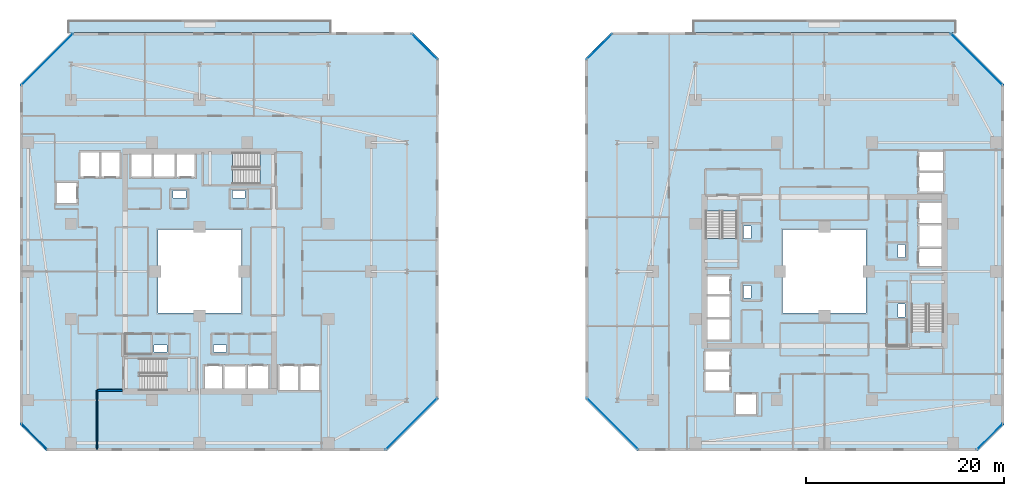
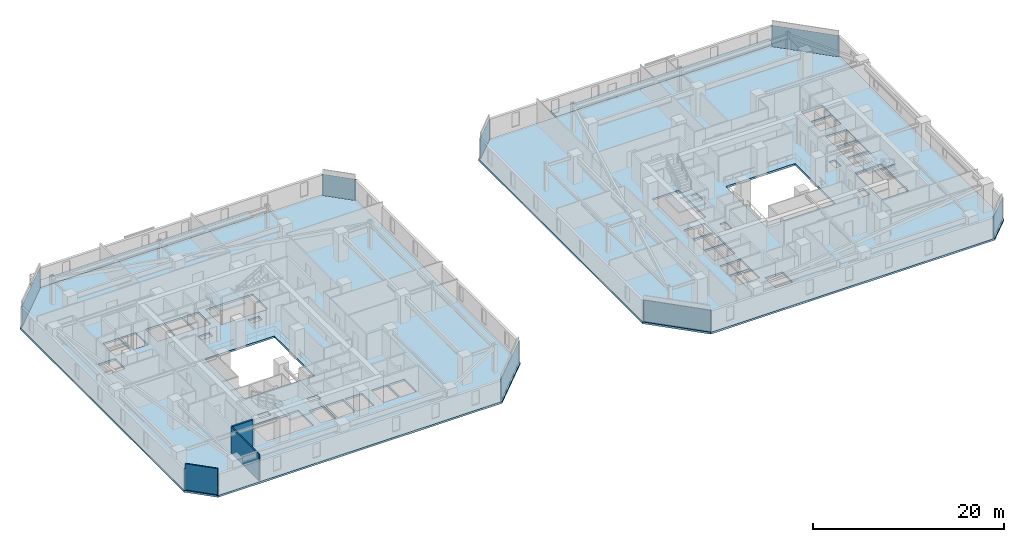
# One storey, part 15 of 31: 8 plates, 8 slabs, 3 walls, 12 elements without a shape of their own.
"""IFC4 building model written with IfcOpenShell, lengths in metres."""

from ifc_helpers import new_model, si_unit, direction, frame, frame_2d, origin, origin_2d, place, context, subcontext, project, spatial, polyline, rectangle, outline, extrude, material, layer, layer_set, type_object, element, aggregate, save


model = new_model("IFC4")

# Units and contexts
model_context = context("Model", 3, precision=1e-05, world=origin(), true_north=direction((0.0, 1.0)))
body_context = subcontext(model_context, "Body", "Model", "MODEL_VIEW")
ifc_project = project(units=[si_unit("LENGTHUNIT", "METRE"), si_unit("AREAUNIT", "SQUARE_METRE"), si_unit("VOLUMEUNIT", "CUBIC_METRE"), si_unit("PLANEANGLEUNIT", "RADIAN"), si_unit("MASSUNIT", "GRAM", prefix="KILO")], contexts=[model_context])

# Site, building, storey
site_placement = place(None, origin())
site = spatial("IfcSite", under=ifc_project, at=site_placement, CompositionType="ELEMENT")
building_placement = place(site_placement, origin())
building = spatial("IfcBuilding", under=site, at=building_placement, Name="Thornwick Lancets Civic Towers", CompositionType="ELEMENT")
storey_placement = place(building_placement, frame((0.0, 0.0, 87.300048828125)))
storey = spatial("IfcBuildingStorey", under=building, at=storey_placement, Name="L22", CompositionType="ELEMENT", Elevation=87.300048828125)

# Curtain wall, plate
ifc_material_1 = material(Name="Low-zone chamfered-corner unitised glass curtain wall", Category="glass")
curtain_wall_type = type_object("IfcCurtainWallType", Name="CW_SYS_03", PredefinedType="NOTDEFINED", material=ifc_material_1)
curtain_wall_1_placement = place(storey_placement, origin())
curtain_wall_1 = element("IfcCurtainWall", 1, at=curtain_wall_1_placement, inside=storey, type_object=curtain_wall_type, Name="L22 Curtain Wall CW-L22-A-E1", PredefinedType="NOTDEFINED")
ifc_material_2 = material(Name="Low-e double glazing clear glass", Category="glass")
ifc_layer_1 = layer(ifc_material_2, 0.035888671875, Name="Low-e double glazing clear glass")
ifc_layer_set_1 = layer_set([ifc_layer_1], Name="Low-e double glazing clear glass")
plate_type = type_object("IfcPlateType", Name="CW_PNL_GLASS", PredefinedType="CURTAIN_PANEL", material=ifc_layer_set_1)
plate_1_placement = place(storey_placement, frame((46.864990234375, 11.635009765625, 0.0), z_axis=(0.0, 0.0, 1.0), x_axis=(0.707106781187, 0.707106781187, 0.0)))
plate_1 = element("IfcPlate", 2, at=plate_1_placement, type_object=plate_type, Name="CW-L22-A-E1 Panel 0", PredefinedType="CURTAIN_PANEL", context=body_context, shape_type="SweptSolid", body=[
    extrude(rectangle(XDim=7.324951171875, YDim=0.035888671875, at=origin_2d()), origin(), (0.0, 0.0, 1.0), 2.699951171875),
])
aggregate(curtain_wall_1, [plate_1])

curtain_wall_2_placement = place(storey_placement, origin())
curtain_wall_2 = element("IfcCurtainWall", 3, at=curtain_wall_2_placement, inside=storey, type_object=curtain_wall_type, Name="L22 Curtain Wall CW-L22-A-E3", PredefinedType="NOTDEFINED")
plate_2_placement = place(storey_placement, frame((48.173095703125, 49.673095703125, 0.0), z_axis=(0.0, 0.0, 1.0), x_axis=(-0.707106781187, 0.707106781187, 0.0)))
plate_2 = element("IfcPlate", 4, at=plate_2_placement, type_object=plate_type, Name="CW-L22-A-E3 Panel 0", PredefinedType="CURTAIN_PANEL", context=body_context, shape_type="SweptSolid", body=[
    extrude(rectangle(XDim=3.6494140625, YDim=0.035888671875, at=origin_2d()), origin(), (0.0, 0.0, 1.0), 2.699951171875),
])
aggregate(curtain_wall_2, [plate_2])

curtain_wall_3_placement = place(storey_placement, origin())
curtain_wall_3 = element("IfcCurtainWall", 5, at=curtain_wall_3_placement, inside=storey, type_object=curtain_wall_type, Name="L22 Curtain Wall CW-L22-A-E5", PredefinedType="NOTDEFINED")
plate_3_placement = place(storey_placement, frame((10.135009765625, 48.364990234375, 0.0), z_axis=(0.0, 0.0, 1.0), x_axis=(-0.707106781187, -0.707106781187, 0.0)))
plate_3 = element("IfcPlate", 6, at=plate_3_placement, type_object=plate_type, Name="CW-L22-A-E5 Panel 0", PredefinedType="CURTAIN_PANEL", context=body_context, shape_type="SweptSolid", body=[
    extrude(rectangle(XDim=7.324951171875, YDim=0.035888671875, at=origin_2d()), origin(), (0.0, 0.0, 1.0), 2.699951171875),
])
aggregate(curtain_wall_3, [plate_3])

curtain_wall_4_placement = place(storey_placement, origin())
curtain_wall_4 = element("IfcCurtainWall", 7, at=curtain_wall_4_placement, inside=storey, type_object=curtain_wall_type, Name="L22 Curtain Wall CW-L22-A-E7", PredefinedType="NOTDEFINED")
plate_4_placement = place(storey_placement, frame((8.826904296875, 10.326904296875, 0.0), z_axis=(0.0, 0.0, 1.0), x_axis=(0.707106781187, -0.707106781187, 0.0)))
plate_4 = element("IfcPlate", 8, at=plate_4_placement, type_object=plate_type, Name="CW-L22-A-E7 Panel 0", PredefinedType="CURTAIN_PANEL", context=body_context, shape_type="SweptSolid", body=[
    extrude(rectangle(XDim=3.6494140625, YDim=0.035888671875, at=origin_2d()), origin(), (0.0, 0.0, 1.0), 2.699951171875),
])
aggregate(curtain_wall_4, [plate_4])

curtain_wall_5_placement = place(storey_placement, origin())
curtain_wall_5 = element("IfcCurtainWall", 9, at=curtain_wall_5_placement, inside=storey, type_object=curtain_wall_type, Name="L22 Curtain Wall CW-L22-B-E1", PredefinedType="NOTDEFINED")
plate_5_placement = place(storey_placement, frame((105.173095703125, 10.326904296875, 0.0), z_axis=(0.0, 0.0, 1.0), x_axis=(0.707106781187, 0.707106781187, 0.0)))
plate_5 = element("IfcPlate", 10, at=plate_5_placement, type_object=plate_type, Name="CW-L22-B-E1 Panel 0", PredefinedType="CURTAIN_PANEL", context=body_context, shape_type="SweptSolid", body=[
    extrude(rectangle(XDim=3.6494140625, YDim=0.035888671875, at=origin_2d()), origin(), (0.0, 0.0, 1.0), 2.699951171875),
])
aggregate(curtain_wall_5, [plate_5])

curtain_wall_6_placement = place(storey_placement, origin())
curtain_wall_6 = element("IfcCurtainWall", 11, at=curtain_wall_6_placement, inside=storey, type_object=curtain_wall_type, Name="L22 Curtain Wall CW-L22-B-E3", PredefinedType="NOTDEFINED")
plate_6_placement = place(storey_placement, frame((103.864990234375, 48.364990234375, 0.0), z_axis=(0.0, 0.0, 1.0), x_axis=(-0.707106781187, 0.707106781187, 0.0)))
plate_6 = element("IfcPlate", 12, at=plate_6_placement, type_object=plate_type, Name="CW-L22-B-E3 Panel 0", PredefinedType="CURTAIN_PANEL", context=body_context, shape_type="SweptSolid", body=[
    extrude(rectangle(XDim=7.324951171875, YDim=0.035888671875, at=origin_2d()), origin(), (0.0, 0.0, 1.0), 2.699951171875),
])
aggregate(curtain_wall_6, [plate_6])

curtain_wall_7_placement = place(storey_placement, origin())
curtain_wall_7 = element("IfcCurtainWall", 13, at=curtain_wall_7_placement, inside=storey, type_object=curtain_wall_type, Name="L22 Curtain Wall CW-L22-B-E5", PredefinedType="NOTDEFINED")
plate_7_placement = place(storey_placement, frame((65.826904296875, 49.673095703125, 0.0), z_axis=(0.0, 0.0, 1.0), x_axis=(-0.707106781187, -0.707106781187, 0.0)))
plate_7 = element("IfcPlate", 14, at=plate_7_placement, type_object=plate_type, Name="CW-L22-B-E5 Panel 0", PredefinedType="CURTAIN_PANEL", context=body_context, shape_type="SweptSolid", body=[
    extrude(rectangle(XDim=3.6494140625, YDim=0.035888671875, at=origin_2d()), origin(), (0.0, 0.0, 1.0), 2.699951171875),
])
aggregate(curtain_wall_7, [plate_7])

curtain_wall_8_placement = place(storey_placement, origin())
curtain_wall_8 = element("IfcCurtainWall", 15, at=curtain_wall_8_placement, inside=storey, type_object=curtain_wall_type, Name="L22 Curtain Wall CW-L22-B-E7", PredefinedType="NOTDEFINED")
plate_8_placement = place(storey_placement, frame((67.135009765625, 11.635009765625, 0.0), z_axis=(0.0, 0.0, 1.0), x_axis=(0.707106781187, -0.707106781187, 0.0)))
plate_8 = element("IfcPlate", 16, at=plate_8_placement, type_object=plate_type, Name="CW-L22-B-E7 Panel 0", PredefinedType="CURTAIN_PANEL", context=body_context, shape_type="SweptSolid", body=[
    extrude(rectangle(XDim=7.324951171875, YDim=0.035888671875, at=origin_2d()), origin(), (0.0, 0.0, 1.0), 2.699951171875),
])
aggregate(curtain_wall_8, [plate_8])

# Slabs
ifc_material_3 = material(Name="Post-tensioned concrete C40/50", Category="concrete")
ifc_layer_2 = layer(ifc_material_3, 0.199951171875, Name="Post-tensioned concrete C40/50")
ifc_layer_set_2 = layer_set([ifc_layer_2], Name="Post-tensioned concrete C40/50")
slab_type_1 = type_object("IfcSlabType", Name="SLAB_BALCONY_200", PredefinedType="FLOOR", material=ifc_layer_set_2)
slab_1_placement = place(storey_placement, frame((0.0, 0.0, -0.199951171875)))
element("IfcSlab", 17, at=slab_1_placement, inside=storey, type_object=slab_type_1, Name="L22 Tower A Planted Balcony Slab N", PredefinedType="FLOOR", context=body_context, shape_type="SweptSolid", body=[
    extrude(outline(polyline([(12.300048828125, 51.10009765625), (38.699951171875, 51.10009765625), (38.699951171875, 52.35009765625), (12.300048828125, 52.35009765625), (12.300048828125, 51.10009765625)])), origin(), (0.0, 0.0, 1.0), 0.199951171875),
])
slab_2_placement = place(storey_placement, frame((0.0, 0.0, -0.199951171875)))
element("IfcSlab", 18, at=slab_2_placement, inside=storey, type_object=slab_type_1, Name="L22 Tower B Planted Balcony Slab N", PredefinedType="FLOOR", context=body_context, shape_type="SweptSolid", body=[
    extrude(outline(polyline([(75.300048828125, 51.10009765625), (101.699951171875, 51.10009765625), (101.699951171875, 52.35009765625), (75.300048828125, 52.35009765625), (75.300048828125, 51.10009765625)])), origin(), (0.0, 0.0, 1.0), 0.199951171875),
])

# Stair, slab
ifc_material_4 = material(Name="Concrete C40/50", Category="concrete")
stair_type = type_object("IfcStairType", Name="STAIR_DL_3600", PredefinedType="HALF_TURN_STAIR", material=ifc_material_4)
stair_1_placement = place(storey_placement, origin())
stair_1 = element("IfcStair", 19, at=stair_1_placement, inside=storey, type_object=stair_type, Name="L22 Tower A South Exit Stair ST-A1", PredefinedType="HALF_TURN_STAIR")
ifc_layer_3 = layer(ifc_material_4, 0.25, Name="Concrete C40/50")
ifc_layer_set_3 = layer_set([ifc_layer_3], Name="Concrete C40/50")
slab_type_2 = type_object("IfcSlabType", Name="SLAB_LANDING_200", PredefinedType="LANDING", material=ifc_layer_set_3)
slab_3_placement = place(storey_placement, frame((0.0, 0.0, 1.60302734375)))
slab_3 = element("IfcSlab", 20, at=slab_3_placement, type_object=slab_type_2, Name="ST-A1 landing 1", PredefinedType="LANDING", context=body_context, shape_type="SweptSolid", body=[
    extrude(outline(polyline([(22.169921875, 14.93994140625), (25.14990234375, 14.93994140625), (25.14990234375, 18.260009765625), (22.169921875, 18.260009765625), (22.169921875, 14.93994140625)])), origin(), (0.0, 0.0, 1.0), 0.199951171875),
])
aggregate(stair_1, [slab_3])

stair_2_placement = place(storey_placement, origin())
stair_2 = element("IfcStair", 21, at=stair_2_placement, inside=storey, type_object=stair_type, Name="L22 Tower A North Exit Stair ST-A2", PredefinedType="HALF_TURN_STAIR")
slab_4_placement = place(storey_placement, frame((0.0, 0.0, 1.60302734375)))
slab_4 = element("IfcSlab", 22, at=slab_4_placement, type_object=slab_type_2, Name="ST-A2 landing 1", PredefinedType="LANDING", context=body_context, shape_type="SweptSolid", body=[
    extrude(outline(polyline([(28.830078125, 39.06005859375), (25.85009765625, 39.06005859375), (25.85009765625, 35.739990234375), (28.830078125, 35.739990234375), (28.830078125, 39.06005859375)])), origin(), (0.0, 0.0, 1.0), 0.199951171875),
])
aggregate(stair_2, [slab_4])

stair_3_placement = place(storey_placement, origin())
stair_3 = element("IfcStair", 23, at=stair_3_placement, inside=storey, type_object=stair_type, Name="L22 Tower B East Exit Stair ST-B1", PredefinedType="HALF_TURN_STAIR")
slab_5_placement = place(storey_placement, frame((0.0, 0.0, 1.60302734375)))
slab_5 = element("IfcSlab", 24, at=slab_5_placement, type_object=slab_type_2, Name="ST-B1 landing 1", PredefinedType="LANDING", context=body_context, shape_type="SweptSolid", body=[
    extrude(outline(polyline([(100.56005859375, 23.669921875), (100.56005859375, 26.64990234375), (97.239990234375, 26.64990234375), (97.239990234375, 23.669921875), (100.56005859375, 23.669921875)])), origin(), (0.0, 0.0, 1.0), 0.199951171875),
])
aggregate(stair_3, [slab_5])

stair_4_placement = place(storey_placement, origin())
stair_4 = element("IfcStair", 25, at=stair_4_placement, inside=storey, type_object=stair_type, Name="L22 Tower B West Exit Stair ST-B2", PredefinedType="HALF_TURN_STAIR")
slab_6_placement = place(storey_placement, frame((0.0, 0.0, 1.60302734375)))
slab_6 = element("IfcSlab", 26, at=slab_6_placement, type_object=slab_type_2, Name="ST-B2 landing 1", PredefinedType="LANDING", context=body_context, shape_type="SweptSolid", body=[
    extrude(outline(polyline([(76.43994140625, 30.330078125), (76.43994140625, 27.35009765625), (79.760009765625, 27.35009765625), (79.760009765625, 30.330078125), (76.43994140625, 30.330078125)])), origin(), (0.0, 0.0, 1.0), 0.199951171875),
])
aggregate(stair_4, [slab_6])

# Slabs
ifc_layer_4 = layer(ifc_material_3, 0.239990234375, Name="Post-tensioned concrete C40/50")
ifc_layer_set_4 = layer_set([ifc_layer_4], Name="Post-tensioned concrete C40/50")
slab_type_3 = type_object("IfcSlabType", Name="SLAB_PT_240", PredefinedType="FLOOR", material=ifc_layer_set_4)
slab_7_placement = place(storey_placement, frame((0.0, 0.0, -0.239990234375)))
element("IfcSlab", 27, at=slab_7_placement, inside=storey, type_object=slab_type_3, Name="L22 Tower A Floor Slab", PredefinedType="FLOOR", context=body_context, shape_type="SweptSolid", body=[
    extrude(outline(polyline([(10.0, 8.89990234375), (44.382080078125, 8.89990234375), (49.60009765625, 14.117919921875), (49.60009765625, 48.5), (47.0, 51.10009765625), (12.617919921875, 51.10009765625), (7.39990234375, 45.882080078125), (7.39990234375, 11.5), (10.0, 8.89990234375)]), holes=[polyline([(21.300048828125, 22.800048828125), (29.699951171875, 22.800048828125), (29.699951171875, 31.199951171875), (21.300048828125, 31.199951171875), (21.300048828125, 22.800048828125)]), polyline([(19.429931640625, 15.0), (25.10009765625, 15.0), (25.10009765625, 18.199951171875), (19.429931640625, 18.199951171875), (19.429931640625, 15.0)]), polyline([(31.570068359375, 39.0), (25.89990234375, 39.0), (25.89990234375, 35.800048828125), (31.570068359375, 35.800048828125), (31.570068359375, 39.0)]), polyline([(26.0, 15.0), (27.800048828125, 15.0), (27.800048828125, 17.550048828125), (26.0, 17.550048828125), (26.0, 15.0)]), polyline([(28.0, 15.0), (30.14990234375, 15.0), (30.14990234375, 17.550048828125), (28.0, 17.550048828125), (28.0, 15.0)]), polyline([(30.35009765625, 15.0), (32.39990234375, 15.0), (32.39990234375, 17.550048828125), (30.35009765625, 17.550048828125), (30.35009765625, 15.0)]), polyline([(33.550048828125, 15.0), (35.449951171875, 15.0), (35.449951171875, 17.550048828125), (33.550048828125, 17.550048828125), (33.550048828125, 15.0)]), polyline([(35.60009765625, 15.0), (37.550048828125, 15.0), (37.550048828125, 17.550048828125), (35.60009765625, 17.550048828125), (35.60009765625, 15.0)]), polyline([(23.199951171875, 36.449951171875), (25.0, 36.449951171875), (25.0, 39.0), (23.199951171875, 39.0), (23.199951171875, 36.449951171875)]), polyline([(20.85009765625, 36.449951171875), (23.0, 36.449951171875), (23.0, 39.0), (20.85009765625, 39.0), (20.85009765625, 36.449951171875)]), polyline([(18.60009765625, 36.449951171875), (20.699951171875, 36.449951171875), (20.699951171875, 39.0), (18.60009765625, 39.0), (18.60009765625, 36.449951171875)]), polyline([(15.550048828125, 36.449951171875), (17.449951171875, 36.449951171875), (17.449951171875, 39.0), (15.550048828125, 39.0), (15.550048828125, 36.449951171875)]), polyline([(13.449951171875, 36.449951171875), (15.39990234375, 36.449951171875), (15.39990234375, 39.0), (13.449951171875, 39.0), (13.449951171875, 36.449951171875)]), polyline([(11.10009765625, 33.85009765625), (13.199951171875, 33.85009765625), (13.199951171875, 35.949951171875), (11.10009765625, 35.949951171875), (11.10009765625, 33.85009765625)]), polyline([(26.89990234375, 18.85009765625), (28.199951171875, 18.85009765625), (28.199951171875, 19.580078125), (26.89990234375, 19.580078125), (26.89990234375, 18.85009765625)]), polyline([(20.89990234375, 18.85009765625), (22.199951171875, 18.85009765625), (22.199951171875, 19.580078125), (20.89990234375, 19.580078125), (20.89990234375, 18.85009765625)]), polyline([(22.800048828125, 34.419921875), (24.10009765625, 34.419921875), (24.10009765625, 35.14990234375), (22.800048828125, 35.14990234375), (22.800048828125, 34.419921875)]), polyline([(28.800048828125, 34.419921875), (30.10009765625, 34.419921875), (30.10009765625, 35.14990234375), (28.800048828125, 35.14990234375), (28.800048828125, 34.419921875)])]), origin(), (0.0, 0.0, 1.0), 0.239990234375),
])
slab_8_placement = place(storey_placement, frame((0.0, 0.0, -0.239990234375)))
element("IfcSlab", 28, at=slab_8_placement, inside=storey, type_object=slab_type_3, Name="L22 Tower B Floor Slab", PredefinedType="FLOOR", context=body_context, shape_type="SweptSolid", body=[
    extrude(outline(polyline([(69.617919921875, 8.89990234375), (104.0, 8.89990234375), (106.60009765625, 11.5), (106.60009765625, 45.882080078125), (101.382080078125, 51.10009765625), (67.0, 51.10009765625), (64.39990234375, 48.5), (64.39990234375, 14.117919921875), (69.617919921875, 8.89990234375)]), holes=[polyline([(84.300048828125, 22.800048828125), (92.699951171875, 22.800048828125), (92.699951171875, 31.199951171875), (84.300048828125, 31.199951171875), (84.300048828125, 22.800048828125)]), polyline([(100.5, 20.929931640625), (100.5, 26.60009765625), (97.300048828125, 26.60009765625), (97.300048828125, 20.929931640625), (100.5, 20.929931640625)]), polyline([(76.5, 33.070068359375), (76.5, 27.39990234375), (79.699951171875, 27.39990234375), (79.699951171875, 33.070068359375), (76.5, 33.070068359375)]), polyline([(97.949951171875, 27.5), (100.5, 27.5), (100.5, 29.300048828125), (97.949951171875, 29.300048828125), (97.949951171875, 27.5)]), polyline([(97.949951171875, 29.5), (100.5, 29.5), (100.5, 31.64990234375), (97.949951171875, 31.64990234375), (97.949951171875, 29.5)]), polyline([(97.949951171875, 31.85009765625), (100.5, 31.85009765625), (100.5, 33.89990234375), (97.949951171875, 33.89990234375), (97.949951171875, 31.85009765625)]), polyline([(97.949951171875, 35.050048828125), (100.5, 35.050048828125), (100.5, 36.949951171875), (97.949951171875, 36.949951171875), (97.949951171875, 35.050048828125)]), polyline([(97.949951171875, 37.10009765625), (100.5, 37.10009765625), (100.5, 39.050048828125), (97.949951171875, 39.050048828125), (97.949951171875, 37.10009765625)]), polyline([(76.5, 24.699951171875), (79.050048828125, 24.699951171875), (79.050048828125, 26.5), (76.5, 26.5), (76.5, 24.699951171875)]), polyline([(76.5, 22.35009765625), (79.050048828125, 22.35009765625), (79.050048828125, 24.5), (76.5, 24.5), (76.5, 22.35009765625)]), polyline([(76.5, 20.10009765625), (79.050048828125, 20.10009765625), (79.050048828125, 22.199951171875), (76.5, 22.199951171875), (76.5, 20.10009765625)]), polyline([(76.5, 17.050048828125), (79.050048828125, 17.050048828125), (79.050048828125, 18.949951171875), (76.5, 18.949951171875), (76.5, 17.050048828125)]), polyline([(76.5, 14.949951171875), (79.050048828125, 14.949951171875), (79.050048828125, 16.89990234375), (76.5, 16.89990234375), (76.5, 14.949951171875)]), polyline([(79.550048828125, 12.60009765625), (81.64990234375, 12.60009765625), (81.64990234375, 14.699951171875), (79.550048828125, 14.699951171875), (79.550048828125, 12.60009765625)]), polyline([(95.919921875, 28.39990234375), (96.64990234375, 28.39990234375), (96.64990234375, 29.699951171875), (95.919921875, 29.699951171875), (95.919921875, 28.39990234375)]), polyline([(95.919921875, 22.39990234375), (96.64990234375, 22.39990234375), (96.64990234375, 23.699951171875), (95.919921875, 23.699951171875), (95.919921875, 22.39990234375)]), polyline([(80.35009765625, 24.300048828125), (81.080078125, 24.300048828125), (81.080078125, 25.60009765625), (80.35009765625, 25.60009765625), (80.35009765625, 24.300048828125)]), polyline([(80.35009765625, 30.300048828125), (81.080078125, 30.300048828125), (81.080078125, 31.60009765625), (80.35009765625, 31.60009765625), (80.35009765625, 30.300048828125)])]), origin(), (0.0, 0.0, 1.0), 0.239990234375),
])

# Walls
ifc_material_5 = material(Name="Concrete blockwork C40/50", Category="masonry")
ifc_layer_5 = layer(ifc_material_5, 0.199951171875, Name="Concrete blockwork C40/50")
ifc_layer_set_5 = layer_set([ifc_layer_5], Name="Concrete blockwork C40/50")
wall_type_1 = type_object("IfcWallType", Name="WALL_COMP_200", PredefinedType="STANDARD", material=ifc_layer_set_5)
wall_1_placement = place(storey_placement, frame((15.199951171875, 15.0, 0.0), z_axis=(0.0, 0.0, 1.0), x_axis=(1.0, 0.0, 0.0)))
element("IfcWall", 29, at=wall_1_placement, inside=storey, type_object=wall_type_1, Name="L22 Partition L22-A-FFLOB1 E1", PredefinedType="STANDARD", context=body_context, shape_type="SweptSolid", body=[
    extrude(rectangle(XDim=2.5, YDim=0.199951171875, at=frame_2d((1.25, 0.0))), origin(), (0.0, 0.0, 1.0), 3.33984375),
])
ifc_material_6 = material(Name="Acoustic gypsum board partition")
ifc_layer_6 = layer(ifc_material_6, 0.1201171875, Name="Acoustic gypsum board partition")
ifc_layer_set_6 = layer_set([ifc_layer_6], Name="Acoustic gypsum board partition")
wall_type_2 = type_object("IfcWallType", Name="WALL_PART_120", PredefinedType="PARTITIONING", material=ifc_layer_set_6)
wall_2_placement = place(storey_placement, frame((15.14990234375, 15.0, 0.0), z_axis=(0.0, 0.0, 1.0), x_axis=(0.0, -1.0, 0.0)))
element("IfcWall", 30, at=wall_2_placement, inside=storey, type_object=wall_type_2, Name="L22 Partition L22-A-W1 E7", PredefinedType="PARTITIONING", context=body_context, shape_type="SweptSolid", body=[
    extrude(rectangle(XDim=5.919921875, YDim=0.1201171875, at=frame_2d((2.9599609375, 0.0))), origin(), (0.0, 0.0, 1.0), 3.33984375),
])
wall_3_placement = place(storey_placement, frame((10.07470703125, 9.080078125, 0.0), z_axis=(0.0, 0.0, 1.0), x_axis=(-0.707106781187, 0.707106781187, 0.0)))
element("IfcWall", 31, at=wall_3_placement, inside=storey, type_object=wall_type_2, Name="L22 Partition L22-A-W1 E9", PredefinedType="PARTITIONING", context=body_context, shape_type="SweptSolid", body=[
    extrude(rectangle(XDim=3.52783203125, YDim=0.1201171875, at=frame_2d((1.763916015625, 0.0))), origin(), (0.0, 0.0, 1.0), 3.33984375),
])

save(model, "model.ifc")
